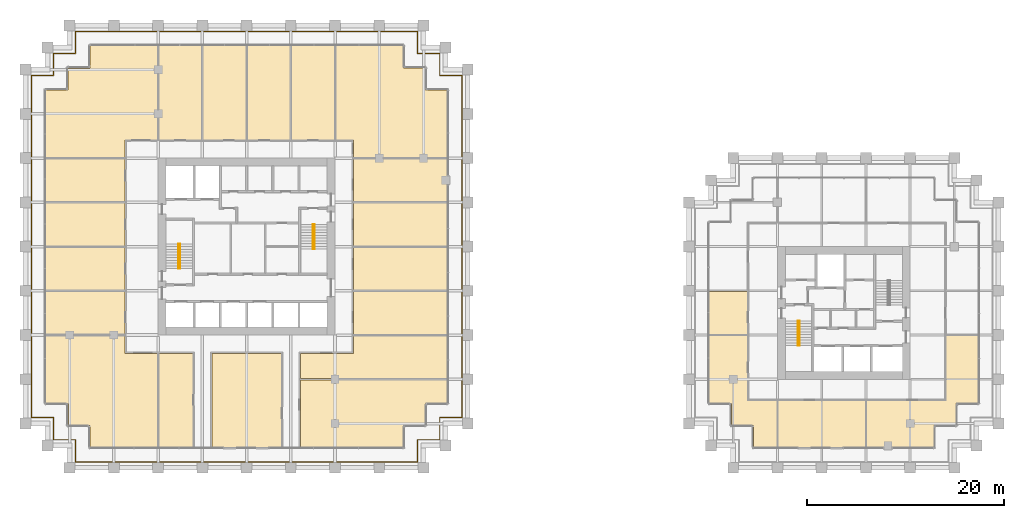
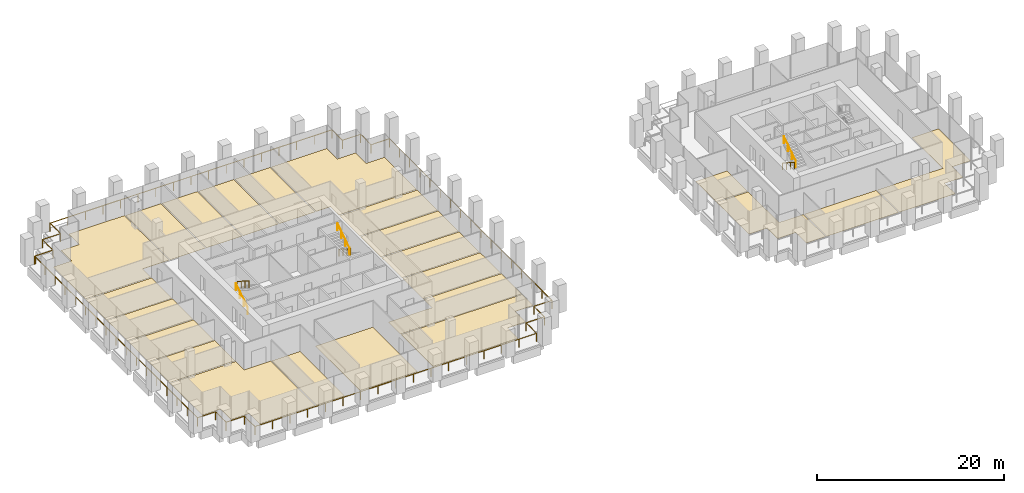
# One storey, part 55 of 56: 23 coverings, 7 railings.
"""IFC4 building model written with IfcOpenShell, lengths in metres."""

import ifcopenshell
import ifcopenshell.guid

model = None  # the IFC model being written
_history = None  # IfcOwnerHistory: only IFC2X3 demands one
_inside = {}  # id of a spatial element -> (the spatial element, [elements in it])
_under = {}  # id of a project, library or spatial element -> (it, [spatial elements below it])
_declared = {}  # id of a project -> (the project, [libraries it declares])
_typed = {}  # id of a type object -> (the type object, [elements of that type])
_made_of = {}  # id of a material, layer set ... -> (it, [elements and type objects made of it])


def new_model(schema):
    """Start an empty IFC model of exactly this schema.

    Asked for "IFC4X3", IfcOpenShell would pick the latest addendum, in which some entities
    have other attributes; the version numbers below select the first issue.
    IFC2X3 requires an IfcOwnerHistory on every rooted entity: one is made here for all.
    """
    global model, _history
    if schema == "IFC4X3":
        model = ifcopenshell.file(schema_version=(4, 3, 0, 0))
    else:
        model = ifcopenshell.file(schema=schema)
    _inside.clear()
    _under.clear()
    _declared.clear()
    _typed.clear()
    _made_of.clear()
    _history = None
    if model.schema == "IFC2X3":
        org = make("IfcOrganization", Name="unknown")
        user = make(
            "IfcPersonAndOrganization",
            ThePerson=make("IfcPerson", FamilyName="unknown"),
            TheOrganization=org,
        )
        app = make(
            "IfcApplication",
            ApplicationDeveloper=org,
            Version="unknown",
            ApplicationFullName="unknown",
            ApplicationIdentifier="unknown",
        )
        _history = make(
            "IfcOwnerHistory",
            OwningUser=user,
            OwningApplication=app,
            ChangeAction="ADDED",
            CreationDate=0,
        )
    return model


def make(cls, **values):
    """One entity of the class cls with the attributes given. An attribute that is None is left unset."""
    return model.create_entity(
        cls, **{name: value for name, value in values.items() if value is not None}
    )


def rooted(cls, **values):
    """An entity with a GlobalId (a new one), such as an element, a storey or a relation."""
    return make(cls, GlobalId=ifcopenshell.guid.new(), OwnerHistory=_history, **values)


def si_unit(unit_type, name, prefix=None):
    """IfcSIUnit, for example si_unit("LENGTHUNIT", "METRE", prefix="MILLI")."""
    return make("IfcSIUnit", UnitType=unit_type, Prefix=prefix, Name=name)


def assignment(units):
    """IfcUnitAssignment: the units of a project."""
    return None if units is None else make("IfcUnitAssignment", Units=units)


def point(xyz):
    """IfcCartesianPoint."""
    return None if xyz is None else make("IfcCartesianPoint", Coordinates=xyz)


def direction(xyz):
    """IfcDirection."""
    return None if xyz is None else make("IfcDirection", DirectionRatios=xyz)


def frame(location, z_axis=None, x_axis=None):
    """IfcAxis2Placement3D, a coordinate frame: its origin and axes. An axis left out is left unset."""
    return make(
        "IfcAxis2Placement3D",
        Location=point(location),
        Axis=direction(z_axis),
        RefDirection=direction(x_axis),
    )


def frame_2d(location, x_axis=None):
    """IfcAxis2Placement2D, a coordinate frame in the plane: its origin and x axis."""
    return make(
        "IfcAxis2Placement2D", Location=point(location), RefDirection=direction(x_axis)
    )


def origin():
    """The frame at (0, 0, 0) with its axes left unset."""
    return frame((0.0, 0.0, 0.0))


def origin_2d():
    """The frame at (0, 0) in the plane with its x axis left unset."""
    return frame_2d((0.0, 0.0))


def place(relative_to, where):
    """IfcLocalPlacement: puts the frame where relative to a parent placement (None: the world)."""
    return make(
        "IfcLocalPlacement", PlacementRelTo=relative_to, RelativePlacement=where
    )


def context(
    kind, dimensions, precision=None, world=None, true_north=None, identifier=None
):
    """IfcGeometricRepresentationContext, for example the 3D "Model" context."""
    return make(
        "IfcGeometricRepresentationContext",
        ContextIdentifier=identifier,
        ContextType=kind,
        CoordinateSpaceDimension=dimensions,
        Precision=precision,
        WorldCoordinateSystem=world,
        TrueNorth=true_north,
    )


def subcontext(parent, identifier, kind, view, scale=None):
    """IfcGeometricRepresentationSubContext, for example "Body" below "Model"."""
    return make(
        "IfcGeometricRepresentationSubContext",
        ContextIdentifier=identifier,
        ContextType=kind,
        ParentContext=parent,
        TargetScale=scale,
        TargetView=view,
    )


def project(units=None, contexts=None):
    """IfcProject with its units and contexts."""
    return rooted(
        "IfcProject",
        Name="project",
        RepresentationContexts=contexts,
        UnitsInContext=assignment(units),
    )


def spatial(cls, under=None, at=None, **own):
    """A site, building, storey or space (cls), placed at a placement, below another one or the project."""
    s = rooted(cls, ObjectPlacement=at, **own)
    if under is not None:
        _under.setdefault(under.id(), (under, []))[1].append(s)
    return s


def polyline(points):
    """IfcPolyline through the points."""
    return make("IfcPolyline", Points=[point(p) for p in points])


def profile(cls, at=None, kind="AREA", **sizes):
    """A parametric profile (cls). Its sizes go by their IFC names, for example OverallWidth=200.0."""
    return make(cls, ProfileType=kind, Position=at, **sizes)


def circle(**sizes):
    """IfcCircleProfileDef."""
    return profile("IfcCircleProfileDef", **sizes)


def outline(outer, holes=None, kind="AREA"):
    """IfcArbitraryClosedProfileDef: a profile drawn as a closed curve; with holes, ...WithVoids."""
    if holes is None:
        return make("IfcArbitraryClosedProfileDef", ProfileType=kind, OuterCurve=outer)
    return make(
        "IfcArbitraryProfileDefWithVoids",
        ProfileType=kind,
        OuterCurve=outer,
        InnerCurves=holes,
    )


def extrude(swept, where, along, depth):
    """IfcExtrudedAreaSolid: the profile swept, set in the frame where, extruded along a direction by depth."""
    return make(
        "IfcExtrudedAreaSolid",
        SweptArea=swept,
        Position=where,
        ExtrudedDirection=direction(along),
        Depth=depth,
    )


def shape(context_of_items, identifier, shape_type, items):
    """IfcShapeRepresentation: the items that make up one representation, for example the "Body"."""
    return make(
        "IfcShapeRepresentation",
        ContextOfItems=context_of_items,
        RepresentationIdentifier=identifier,
        RepresentationType=shape_type,
        Items=items,
    )


def source(mapping_origin, context_of_items, identifier, shape_type, items):
    """IfcRepresentationMap: a shape defined once, which mapped items show again and again."""
    return make(
        "IfcRepresentationMap",
        MappingOrigin=mapping_origin,
        MappedRepresentation=shape(context_of_items, identifier, shape_type, items),
    )


def transform(
    local_origin,
    x_axis=None,
    y_axis=None,
    z_axis=None,
    scale=None,
    scale2=None,
    scale3=None,
    uniform=True,
):
    """IfcCartesianTransformationOperator3D, or its non-uniform kind. x_axis, y_axis, z_axis: its Axis1, 2, 3."""
    if uniform:
        return make(
            "IfcCartesianTransformationOperator3D",
            Axis1=direction(x_axis),
            Axis2=direction(y_axis),
            LocalOrigin=point(local_origin),
            Scale=scale,
            Axis3=direction(z_axis),
        )
    return make(
        "IfcCartesianTransformationOperator3DnonUniform",
        Axis1=direction(x_axis),
        Axis2=direction(y_axis),
        LocalOrigin=point(local_origin),
        Scale=scale,
        Axis3=direction(z_axis),
        Scale2=scale2,
        Scale3=scale3,
    )


def mapped(mapping_source, mapping_target):
    """IfcMappedItem: shows the shape of a source again, moved by a transform."""
    return make(
        "IfcMappedItem", MappingSource=mapping_source, MappingTarget=mapping_target
    )


def material(Name=None, Category=None):
    """IfcMaterial."""
    return make("IfcMaterial", Name=Name, Category=Category)


def layer(
    of_material, thickness, ventilated=None, Name=None, Category=None, Priority=None
):
    """IfcMaterialLayer: one layer of a wall or slab, of a material (None: an air gap)."""
    return make(
        "IfcMaterialLayer",
        Material=of_material,
        LayerThickness=thickness,
        IsVentilated=ventilated,
        Name=Name,
        Category=Category,
        Priority=Priority,
    )


def layer_set(layers, Name=None):
    """IfcMaterialLayerSet."""
    return make("IfcMaterialLayerSet", MaterialLayers=layers, LayerSetName=Name)


def made_of(thing, what):
    """Note that an element or type object is made of a material, layer set ...; save() writes the relation."""
    if what is not None:
        _made_of.setdefault(what.id(), (what, []))[1].append(thing)
    return thing


def type_object(cls, material=None, **own):
    """A type object (cls), such as IfcWallType, which elements share."""
    return made_of(rooted(cls, **own), material)


def element(
    cls,
    number,
    at=None,
    inside=None,
    cuts=None,
    type_object=None,
    material=None,
    context=None,
    identifier="Body",
    shape_type=None,
    held_by="IfcProductDefinitionShape",
    body=None,
    shapes=None,
    **own,
):
    """One element of the class cls, such as IfcWall. Its Tag is "e" and its number.

    at: its placement. inside: the storey or other place that contains it. cuts: it is an
    opening in that element (IfcRelVoidsElement). A single representation is given by context,
    identifier, shape_type and body (its items); several are given by shapes. held_by: the class
    of the entity that holds the representations. save() writes the other relations.
    """
    e = rooted(cls, Tag="e%d" % number, ObjectPlacement=at, **own)
    if body is not None:
        shapes = [shape(context, identifier, shape_type, body)]
    if shapes is not None:
        e.Representation = make(held_by, Representations=shapes)
    if inside is not None:
        _inside.setdefault(inside.id(), (inside, []))[1].append(e)
    if cuts is not None:
        rooted(
            "IfcRelVoidsElement", RelatingBuildingElement=cuts, RelatedOpeningElement=e
        )
    if type_object is not None:
        _typed.setdefault(type_object.id(), (type_object, []))[1].append(e)
    return made_of(e, material)


def aggregate(whole, parts):
    """IfcRelAggregates: a whole, such as a stair, and the parts it consists of."""
    return rooted("IfcRelAggregates", RelatingObject=whole, RelatedObjects=parts)


def save(model, path):
    """Write the relations noted so far, then the file.

    IfcRelAggregates (storeys below a building ...), IfcRelContainedInSpatialStructure (elements
    in a storey), IfcRelDefinesByType, IfcRelAssociatesMaterial and IfcRelDeclares: one each for
    every whole, place, type object, material and project.
    """
    for whole, parts in _under.values():
        aggregate(whole, parts)
    for where, things in _inside.values():
        rooted(
            "IfcRelContainedInSpatialStructure",
            RelatedElements=things,
            RelatingStructure=where,
        )
    for kind, things in _typed.values():
        rooted("IfcRelDefinesByType", RelatedObjects=things, RelatingType=kind)
    for what, things in _made_of.values():
        rooted("IfcRelAssociatesMaterial", RelatedObjects=things, RelatingMaterial=what)
    for by, libraries in _declared.values():
        rooted("IfcRelDeclares", RelatingContext=by, RelatedDefinitions=libraries)
    model.write(path)


model = new_model("IFC4")

# Units and contexts
model_context = context("Model", 3, precision=1e-05, world=origin(), true_north=direction((0.0, 1.0)))
body_context = subcontext(model_context, "Body", "Model", "MODEL_VIEW")
ifc_project = project(units=[si_unit("LENGTHUNIT", "METRE"), si_unit("AREAUNIT", "SQUARE_METRE"), si_unit("VOLUMEUNIT", "CUBIC_METRE"), si_unit("PLANEANGLEUNIT", "RADIAN"), si_unit("MASSUNIT", "GRAM", prefix="KILO")], contexts=[model_context])

# Site, building, storey
site_placement = place(None, origin())
site = spatial("IfcSite", under=ifc_project, at=site_placement, CompositionType="ELEMENT")
building_placement = place(site_placement, origin())
building = spatial("IfcBuilding", under=site, at=building_placement, Name="Altepetl Exchange Towers", CompositionType="ELEMENT")
storey_placement = place(building_placement, frame((0.0, 0.0, 69.0)))
storey = spatial("IfcBuildingStorey", under=building, at=storey_placement, Name="L16", CompositionType="ELEMENT", Elevation=69.0)

# Coverings
ifc_material_1 = material(Name="Carpet tile")
ifc_layer_1 = layer(ifc_material_1, 0.02001953125)
ifc_layer_set_1 = layer_set([ifc_layer_1], Name="Carpet tile")
covering_type_1 = type_object("IfcCoveringType", Name="Carpet tile floor", PredefinedType="FLOORING", material=ifc_layer_set_1)
covering_1_placement = place(storey_placement, origin())
element("IfcCovering", 1, at=covering_1_placement, inside=storey, type_object=covering_type_1, Name="Print room floor finish A16.01", PredefinedType="FLOORING", context=body_context, shape_type="SweptSolid", body=[
    extrude(outline(polyline([(37.137451171875, 49.4375), (29.0625, 49.4375), (29.0625, 45.0625), (37.137451171875, 45.0625), (37.137451171875, 49.4375)])), origin(), (0.0, 0.0, 1.0), 0.02001953125),
])
covering_2_placement = place(storey_placement, origin())
element("IfcCovering", 2, at=covering_2_placement, inside=storey, type_object=covering_type_1, Name="Open office floor finish A16.03", PredefinedType="FLOORING", context=body_context, shape_type="SweptSolid", body=[
    extrude(outline(polyline([(37.137451171875, 40.4375), (29.0625, 40.4375), (29.0625, 33.5625), (31.3125, 33.5625), (31.3125, 31.3125), (33.5625, 31.3125), (33.5625, 29.0625), (40.4375, 29.0625), (40.4375, 38.637451171875), (37.137451171875, 38.637451171875), (37.137451171875, 40.4375)])), origin(), (0.0, 0.0, 1.0), 0.02001953125),
])
covering_3_placement = place(storey_placement, origin())
element("IfcCovering", 3, at=covering_3_placement, inside=storey, type_object=covering_type_1, Name="Print room floor finish A16.04", PredefinedType="FLOORING", context=body_context, shape_type="SweptSolid", body=[
    extrude(outline(polyline([(40.5625, 38.637451171875), (40.5625, 29.0625), (44.03759765625, 29.0625), (44.03759765625, 38.637451171875), (40.5625, 38.637451171875)])), origin(), (0.0, 0.0, 1.0), 0.02001953125),
])
covering_4_placement = place(storey_placement, origin())
element("IfcCovering", 4, at=covering_4_placement, inside=storey, type_object=covering_type_1, Name="Meeting room floor finish A16.07", PredefinedType="FLOORING", context=body_context, shape_type="SweptSolid", body=[
    extrude(outline(polyline([(69.9375, 40.4375), (60.362548828125, 40.4375), (60.362548828125, 38.637451171875), (54.96240234375, 38.637451171875), (54.96240234375, 36.0625), (69.9375, 36.0625), (69.9375, 40.4375)])), origin(), (0.0, 0.0, 1.0), 0.02001953125),
])
covering_5_placement = place(storey_placement, origin())
element("IfcCovering", 5, at=covering_5_placement, inside=storey, type_object=covering_type_1, Name="Huddle room floor finish A16.08", PredefinedType="FLOORING", context=body_context, shape_type="SweptSolid", body=[
    extrude(outline(polyline([(69.9375, 44.9375), (60.362548828125, 44.9375), (60.362548828125, 40.5625), (69.9375, 40.5625), (69.9375, 44.9375)])), origin(), (0.0, 0.0, 1.0), 0.02001953125),
])
covering_6_placement = place(storey_placement, origin())
element("IfcCovering", 6, at=covering_6_placement, inside=storey, type_object=covering_type_1, Name="Meeting room floor finish A16.09", PredefinedType="FLOORING", context=body_context, shape_type="SweptSolid", body=[
    extrude(outline(polyline([(69.9375, 49.4375), (60.362548828125, 49.4375), (60.362548828125, 45.0625), (69.9375, 45.0625), (69.9375, 49.4375)])), origin(), (0.0, 0.0, 1.0), 0.02001953125),
])
covering_7_placement = place(storey_placement, origin())
element("IfcCovering", 7, at=covering_7_placement, inside=storey, type_object=covering_type_1, Name="Huddle room floor finish A16.10", PredefinedType="FLOORING", context=body_context, shape_type="SweptSolid", body=[
    extrude(outline(polyline([(69.9375, 53.9375), (60.362548828125, 53.9375), (60.362548828125, 49.5625), (69.9375, 49.5625), (69.9375, 53.9375)])), origin(), (0.0, 0.0, 1.0), 0.02001953125),
])
covering_8_placement = place(storey_placement, origin())
element("IfcCovering", 8, at=covering_8_placement, inside=storey, type_object=covering_type_1, Name="Meeting room floor finish A16.11", PredefinedType="FLOORING", context=body_context, shape_type="SweptSolid", body=[
    extrude(outline(polyline([(69.9375, 58.4375), (60.362548828125, 58.4375), (60.362548828125, 54.0625), (69.9375, 54.0625), (69.9375, 58.4375)])), origin(), (0.0, 0.0, 1.0), 0.02001953125),
])
covering_9_placement = place(storey_placement, origin())
element("IfcCovering", 9, at=covering_9_placement, inside=storey, type_object=covering_type_1, Name="Huddle room floor finish A16.13", PredefinedType="FLOORING", context=body_context, shape_type="SweptSolid", body=[
    extrude(outline(polyline([(54.0625, 69.9375), (54.0625, 60.362548828125), (58.4375, 60.362548828125), (58.4375, 69.9375), (54.0625, 69.9375)])), origin(), (0.0, 0.0, 1.0), 0.02001953125),
])
covering_10_placement = place(storey_placement, origin())
element("IfcCovering", 10, at=covering_10_placement, inside=storey, type_object=covering_type_1, Name="Meeting room floor finish A16.14", PredefinedType="FLOORING", context=body_context, shape_type="SweptSolid", body=[
    extrude(outline(polyline([(49.5625, 69.9375), (49.5625, 60.362548828125), (53.9375, 60.362548828125), (53.9375, 69.9375), (49.5625, 69.9375)])), origin(), (0.0, 0.0, 1.0), 0.02001953125),
])
covering_11_placement = place(storey_placement, origin())
element("IfcCovering", 11, at=covering_11_placement, inside=storey, type_object=covering_type_1, Name="Huddle room floor finish A16.15", PredefinedType="FLOORING", context=body_context, shape_type="SweptSolid", body=[
    extrude(outline(polyline([(45.0625, 69.9375), (45.0625, 60.362548828125), (49.4375, 60.362548828125), (49.4375, 69.9375), (45.0625, 69.9375)])), origin(), (0.0, 0.0, 1.0), 0.02001953125),
])
covering_12_placement = place(storey_placement, origin())
element("IfcCovering", 12, at=covering_12_placement, inside=storey, type_object=covering_type_1, Name="Meeting room floor finish A16.16", PredefinedType="FLOORING", context=body_context, shape_type="SweptSolid", body=[
    extrude(outline(polyline([(40.5625, 69.9375), (40.5625, 60.362548828125), (44.9375, 60.362548828125), (44.9375, 69.9375), (40.5625, 69.9375)])), origin(), (0.0, 0.0, 1.0), 0.02001953125),
])
covering_13_placement = place(storey_placement, origin())
element("IfcCovering", 13, at=covering_13_placement, inside=storey, type_object=covering_type_1, Name="Print room floor finish A16.18", PredefinedType="FLOORING", context=body_context, shape_type="SweptSolid", body=[
    extrude(outline(polyline([(37.137451171875, 58.4375), (29.0625, 58.4375), (29.0625, 54.0625), (37.137451171875, 54.0625), (37.137451171875, 58.4375)])), origin(), (0.0, 0.0, 1.0), 0.02001953125),
])
covering_14_placement = place(storey_placement, origin())
element("IfcCovering", 14, at=covering_14_placement, inside=storey, type_object=covering_type_1, Name="Conference room floor finish B16.01", PredefinedType="FLOORING", context=body_context, shape_type="SweptSolid", body=[
    extrude(outline(polyline([(103.4375, 29.0625), (103.4375, 33.83740234375), (100.4375, 33.83740234375), (100.4375, 40.4375), (96.5625, 40.4375), (96.5625, 33.5625), (98.8125, 33.5625), (98.8125, 31.3125), (101.0625, 31.3125), (101.0625, 29.0625), (103.4375, 29.0625)])), origin(), (0.0, 0.0, 1.0), 0.02001953125),
])
covering_15_placement = place(storey_placement, origin())
element("IfcCovering", 15, at=covering_15_placement, inside=storey, type_object=covering_type_1, Name="Huddle room floor finish B16.02", PredefinedType="FLOORING", context=body_context, shape_type="SweptSolid", body=[
    extrude(outline(polyline([(112.4375, 29.0625), (112.4375, 33.83740234375), (103.5625, 33.83740234375), (103.5625, 29.0625), (112.4375, 29.0625)])), origin(), (0.0, 0.0, 1.0), 0.02001953125),
])
covering_16_placement = place(storey_placement, origin())
element("IfcCovering", 16, at=covering_16_placement, inside=storey, type_object=covering_type_1, Name="Legal office floor finish B16.03", PredefinedType="FLOORING", context=body_context, shape_type="SweptSolid", body=[
    extrude(outline(polyline([(123.9375, 40.4375), (120.66259765625, 40.4375), (120.66259765625, 33.83740234375), (112.5625, 33.83740234375), (112.5625, 29.0625), (119.4375, 29.0625), (119.4375, 31.3125), (121.6875, 31.3125), (121.6875, 33.5625), (123.9375, 33.5625), (123.9375, 40.4375)])), origin(), (0.0, 0.0, 1.0), 0.02001953125),
])
covering_17_placement = place(storey_placement, origin())
element("IfcCovering", 17, at=covering_17_placement, inside=storey, type_object=covering_type_1, Name="Print room floor finish B16.08", PredefinedType="FLOORING", context=body_context, shape_type="SweptSolid", body=[
    extrude(outline(polyline([(96.5625, 40.5625), (100.4375, 40.5625), (100.4375, 44.9375), (96.5625, 44.9375), (96.5625, 40.5625)])), origin(), (0.0, 0.0, 1.0), 0.02001953125),
])
ifc_material_2 = material(Name="Calcium sulphate access floor panel")
ifc_layer_2 = layer(ifc_material_2, 0.0400390625)
ifc_layer_set_2 = layer_set([ifc_layer_2], Name="Calcium sulphate access floor panel")
covering_type_2 = type_object("IfcCoveringType", Name="Raised access floor panels", PredefinedType="FLOORING", material=ifc_layer_set_2)
covering_18_placement = place(storey_placement, origin())
element("IfcCovering", 18, at=covering_18_placement, inside=storey, type_object=covering_type_2, Name="Data room floor finish A16.02", PredefinedType="FLOORING", context=body_context, shape_type="SweptSolid", body=[
    extrude(outline(polyline([(37.137451171875, 44.9375), (29.0625, 44.9375), (29.0625, 40.5625), (37.137451171875, 40.5625), (37.137451171875, 44.9375)])), origin(), (0.0, 0.0, 1.0), 0.0400390625),
])
covering_19_placement = place(storey_placement, origin())
element("IfcCovering", 19, at=covering_19_placement, inside=storey, type_object=covering_type_2, Name="Clearing office floor finish A16.05", PredefinedType="FLOORING", context=body_context, shape_type="SweptSolid", body=[
    extrude(outline(polyline([(45.96240234375, 38.637451171875), (45.96240234375, 29.0625), (53.03759765625, 29.0625), (53.03759765625, 38.637451171875), (45.96240234375, 38.637451171875)])), origin(), (0.0, 0.0, 1.0), 0.0400390625),
])
covering_20_placement = place(storey_placement, origin())
element("IfcCovering", 20, at=covering_20_placement, inside=storey, type_object=covering_type_2, Name="Settlement office floor finish A16.06", PredefinedType="FLOORING", context=body_context, shape_type="SweptSolid", body=[
    extrude(outline(polyline([(69.9375, 35.9375), (54.96240234375, 35.9375), (54.96240234375, 29.0625), (65.4375, 29.0625), (65.4375, 31.3125), (67.6875, 31.3125), (67.6875, 33.5625), (69.9375, 33.5625), (69.9375, 35.9375)])), origin(), (0.0, 0.0, 1.0), 0.0400390625),
])
covering_21_placement = place(storey_placement, origin())
element("IfcCovering", 21, at=covering_21_placement, inside=storey, type_object=covering_type_2, Name="Settlement office floor finish A16.12", PredefinedType="FLOORING", context=body_context, shape_type="SweptSolid", body=[
    extrude(outline(polyline([(69.9375, 58.5625), (69.9375, 65.4375), (67.6875, 65.4375), (67.6875, 67.6875), (65.4375, 67.6875), (65.4375, 69.9375), (58.5625, 69.9375), (58.5625, 60.362548828125), (60.362548828125, 60.362548828125), (60.362548828125, 58.5625), (69.9375, 58.5625)])), origin(), (0.0, 0.0, 1.0), 0.0400390625),
])
covering_22_placement = place(storey_placement, origin())
element("IfcCovering", 22, at=covering_22_placement, inside=storey, type_object=covering_type_2, Name="Clearing office floor finish A16.17", PredefinedType="FLOORING", context=body_context, shape_type="SweptSolid", body=[
    extrude(outline(polyline([(33.5625, 69.9375), (33.5625, 67.6875), (31.3125, 67.6875), (31.3125, 65.4375), (29.0625, 65.4375), (29.0625, 58.5625), (37.137451171875, 58.5625), (37.137451171875, 60.362548828125), (40.4375, 60.362548828125), (40.4375, 69.9375), (33.5625, 69.9375)])), origin(), (0.0, 0.0, 1.0), 0.0400390625),
])
covering_23_placement = place(storey_placement, origin())
element("IfcCovering", 23, at=covering_23_placement, inside=storey, type_object=covering_type_2, Name="Data room floor finish A16.19", PredefinedType="FLOORING", context=body_context, shape_type="SweptSolid", body=[
    extrude(outline(polyline([(37.137451171875, 53.9375), (29.0625, 53.9375), (29.0625, 49.5625), (37.137451171875, 49.5625), (37.137451171875, 53.9375)])), origin(), (0.0, 0.0, 1.0), 0.0400390625),
])

# Railings
ifc_material_3 = material(Name="Steel S355", Category="steel")
railing_type_1 = type_object("IfcRailingType", Name="Guard 1100 steel posts and rail", PredefinedType="GUARDRAIL", material=ifc_material_3)
shared_shape_1 = source(origin(), body_context, "Body", "SweptSolid", [
    extrude(circle(Radius=0.02099609375, at=origin_2d()), origin(), (0.0, 0.0, 1.0), 1.052001953125),
])
railing_1_placement = place(storey_placement, frame((27.60009765625, 66.89990234375, 0.0)))
element("IfcRailing", 24, at=railing_1_placement, inside=storey, type_object=railing_type_1, Name="Loggia guard", PredefinedType="GUARDRAIL", context=body_context, shape_type="SweptSolid", body=[
    extrude(circle(Radius=0.02392578125, at=origin_2d()), frame((0.0, 0.0, 1.076171875), z_axis=(0.0, -1.0, 0.0), x_axis=(1.0, 0.0, 0.0)), (0.0, 0.0, 1.0), 34.7998046875),
    extrude(circle(Radius=0.02392578125, at=origin_2d()), frame((0.0, -34.7998046875, 1.076171875), z_axis=(1.0, 0.0, 0.0), x_axis=(0.0, 1.0, 0.0)), (0.0, 0.0, 1.0), 2.25),
    extrude(circle(Radius=0.02392578125, at=origin_2d()), frame((2.25, -34.7998046875, 1.076171875), z_axis=(0.0, -1.0, 0.0), x_axis=(1.0, 0.0, 0.0)), (0.0, 0.0, 1.0), 2.25),
    extrude(circle(Radius=0.02392578125, at=origin_2d()), frame((2.25, -37.0498046875, 1.076171875), z_axis=(1.0, 0.0, 0.0), x_axis=(0.0, 1.0, 0.0)), (0.0, 0.0, 1.0), 2.25),
    extrude(circle(Radius=0.02392578125, at=origin_2d()), frame((4.5, -37.0498046875, 1.076171875), z_axis=(0.0, -1.0, 0.0), x_axis=(1.0, 0.0, 0.0)), (0.0, 0.0, 1.0), 2.25),
    extrude(circle(Radius=0.02392578125, at=origin_2d()), frame((4.5, -39.2998046875, 1.076171875), z_axis=(1.0, 0.0, 0.0), x_axis=(0.0, 1.0, 0.0)), (0.0, 0.0, 1.0), 34.7998046875),
    extrude(circle(Radius=0.02392578125, at=origin_2d()), frame((39.2998046875, -39.2998046875, 1.076171875), z_axis=(0.0, 1.0, 0.0), x_axis=(-1.0, 0.0, 0.0)), (0.0, 0.0, 1.0), 2.25),
    extrude(circle(Radius=0.02392578125, at=origin_2d()), frame((39.2998046875, -37.0498046875, 1.076171875), z_axis=(1.0, 0.0, 0.0), x_axis=(0.0, 1.0, 0.0)), (0.0, 0.0, 1.0), 2.25),
    extrude(circle(Radius=0.02392578125, at=origin_2d()), frame((41.5498046875, -37.0498046875, 1.076171875), z_axis=(0.0, 1.0, 0.0), x_axis=(-1.0, 0.0, 0.0)), (0.0, 0.0, 1.0), 2.25),
    extrude(circle(Radius=0.02392578125, at=origin_2d()), frame((41.5498046875, -34.7998046875, 1.076171875), z_axis=(1.0, 0.0, 0.0), x_axis=(0.0, 1.0, 0.0)), (0.0, 0.0, 1.0), 2.25),
    extrude(circle(Radius=0.02392578125, at=origin_2d()), frame((43.7998046875, -34.7998046875, 1.076171875), z_axis=(0.0, 1.0, 0.0), x_axis=(-1.0, 0.0, 0.0)), (0.0, 0.0, 1.0), 34.7998046875),
    extrude(circle(Radius=0.02392578125, at=origin_2d()), frame((43.7998046875, 0.0, 1.076171875), z_axis=(-1.0, 0.0, 0.0), x_axis=(0.0, -1.0, 0.0)), (0.0, 0.0, 1.0), 2.25),
    extrude(circle(Radius=0.02392578125, at=origin_2d()), frame((41.5498046875, 0.0, 1.076171875), z_axis=(0.0, 1.0, 0.0), x_axis=(-1.0, 0.0, 0.0)), (0.0, 0.0, 1.0), 2.25),
    extrude(circle(Radius=0.02392578125, at=origin_2d()), frame((41.5498046875, 2.25, 1.076171875), z_axis=(-1.0, 0.0, 0.0), x_axis=(0.0, -1.0, 0.0)), (0.0, 0.0, 1.0), 2.25),
    extrude(circle(Radius=0.02392578125, at=origin_2d()), frame((39.2998046875, 2.25, 1.076171875), z_axis=(0.0, 1.0, 0.0), x_axis=(-1.0, 0.0, 0.0)), (0.0, 0.0, 1.0), 2.25),
    extrude(circle(Radius=0.02392578125, at=origin_2d()), frame((39.2998046875, 4.5, 1.076171875), z_axis=(-1.0, 0.0, 0.0), x_axis=(0.0, -1.0, 0.0)), (0.0, 0.0, 1.0), 34.7998046875),
    extrude(circle(Radius=0.02392578125, at=origin_2d()), frame((4.5, 4.5, 1.076171875), z_axis=(0.0, -1.0, 0.0), x_axis=(1.0, 0.0, 0.0)), (0.0, 0.0, 1.0), 2.25),
    extrude(circle(Radius=0.02392578125, at=origin_2d()), frame((4.5, 2.25, 1.076171875), z_axis=(-1.0, 0.0, 0.0), x_axis=(0.0, -1.0, 0.0)), (0.0, 0.0, 1.0), 2.25),
    extrude(circle(Radius=0.02392578125, at=origin_2d()), frame((2.25, 2.25, 1.076171875), z_axis=(0.0, -1.0, 0.0), x_axis=(1.0, 0.0, 0.0)), (0.0, 0.0, 1.0), 2.25),
    extrude(circle(Radius=0.02392578125, at=origin_2d()), frame((2.25, 0.0, 1.076171875), z_axis=(-1.0, 0.0, 0.0), x_axis=(0.0, -1.0, 0.0)), (0.0, 0.0, 1.0), 2.150146484375),
    mapped(shared_shape_1, transform((0.0, 0.0, 0.0))),
    mapped(shared_shape_1, transform((0.0, -2.175048828125, 0.0))),
    mapped(shared_shape_1, transform((0.0, -4.35009765625, 0.0))),
    mapped(shared_shape_1, transform((0.0, -6.52490234375, 0.0))),
    mapped(shared_shape_1, transform((0.0, -8.699951171875, 0.0))),
    mapped(shared_shape_1, transform((0.0, -10.875, 0.0))),
    mapped(shared_shape_1, transform((0.0, -13.0498046875, 0.0))),
    mapped(shared_shape_1, transform((0.0, -15.224853515625, 0.0))),
    mapped(shared_shape_1, transform((0.0, -17.39990234375, 0.0))),
    mapped(shared_shape_1, transform((0.0, -19.574951171875, 0.0))),
    mapped(shared_shape_1, transform((0.0, -21.75, 0.0))),
    mapped(shared_shape_1, transform((0.0, -23.9248046875, 0.0))),
    mapped(shared_shape_1, transform((0.0, -26.099853515625, 0.0))),
    mapped(shared_shape_1, transform((0.0, -28.27490234375, 0.0))),
    mapped(shared_shape_1, transform((0.0, -30.44970703125, 0.0))),
    mapped(shared_shape_1, transform((0.0, -32.624755859375, 0.0))),
    mapped(shared_shape_1, transform((0.0, -34.7998046875, 0.0))),
    mapped(shared_shape_1, transform((2.25, -34.7998046875, 0.0))),
    mapped(shared_shape_1, transform((2.25, -37.0498046875, 0.0))),
    mapped(shared_shape_1, transform((4.5, -37.0498046875, 0.0))),
    mapped(shared_shape_1, transform((4.5, -39.2998046875, 0.0))),
    mapped(shared_shape_1, transform((6.675048828125, -39.2998046875, 0.0))),
    mapped(shared_shape_1, transform((8.85009765625, -39.2998046875, 0.0))),
    mapped(shared_shape_1, transform((11.02490234375, -39.2998046875, 0.0))),
    mapped(shared_shape_1, transform((13.199951171875, -39.2998046875, 0.0))),
    mapped(shared_shape_1, transform((15.375, -39.2998046875, 0.0))),
    mapped(shared_shape_1, transform((17.5498046875, -39.2998046875, 0.0))),
    mapped(shared_shape_1, transform((19.724853515625, -39.2998046875, 0.0))),
    mapped(shared_shape_1, transform((21.89990234375, -39.2998046875, 0.0))),
    mapped(shared_shape_1, transform((24.074951171875, -39.2998046875, 0.0))),
    mapped(shared_shape_1, transform((26.25, -39.2998046875, 0.0))),
    mapped(shared_shape_1, transform((28.4248046875, -39.2998046875, 0.0))),
    mapped(shared_shape_1, transform((30.599853515625, -39.2998046875, 0.0))),
    mapped(shared_shape_1, transform((32.77490234375, -39.2998046875, 0.0))),
    mapped(shared_shape_1, transform((34.94970703125, -39.2998046875, 0.0))),
    mapped(shared_shape_1, transform((37.124755859375, -39.2998046875, 0.0))),
    mapped(shared_shape_1, transform((39.2998046875, -39.2998046875, 0.0))),
    mapped(shared_shape_1, transform((39.2998046875, -37.0498046875, 0.0))),
    mapped(shared_shape_1, transform((41.5498046875, -37.0498046875, 0.0))),
    mapped(shared_shape_1, transform((41.5498046875, -34.7998046875, 0.0))),
    mapped(shared_shape_1, transform((43.7998046875, -34.7998046875, 0.0))),
    mapped(shared_shape_1, transform((43.7998046875, -32.624755859375, 0.0))),
    mapped(shared_shape_1, transform((43.7998046875, -30.44970703125, 0.0))),
    mapped(shared_shape_1, transform((43.7998046875, -28.27490234375, 0.0))),
    mapped(shared_shape_1, transform((43.7998046875, -26.099853515625, 0.0))),
    mapped(shared_shape_1, transform((43.7998046875, -23.9248046875, 0.0))),
    mapped(shared_shape_1, transform((43.7998046875, -21.75, 0.0))),
    mapped(shared_shape_1, transform((43.7998046875, -19.574951171875, 0.0))),
    mapped(shared_shape_1, transform((43.7998046875, -17.39990234375, 0.0))),
    mapped(shared_shape_1, transform((43.7998046875, -15.224853515625, 0.0))),
    mapped(shared_shape_1, transform((43.7998046875, -13.0498046875, 0.0))),
    mapped(shared_shape_1, transform((43.7998046875, -10.875, 0.0))),
    mapped(shared_shape_1, transform((43.7998046875, -8.699951171875, 0.0))),
    mapped(shared_shape_1, transform((43.7998046875, -6.52490234375, 0.0))),
    mapped(shared_shape_1, transform((43.7998046875, -4.35009765625, 0.0))),
    mapped(shared_shape_1, transform((43.7998046875, -2.175048828125, 0.0))),
    mapped(shared_shape_1, transform((43.7998046875, 0.0, 0.0))),
    mapped(shared_shape_1, transform((41.5498046875, 0.0, 0.0))),
    mapped(shared_shape_1, transform((41.5498046875, 2.25, 0.0))),
    mapped(shared_shape_1, transform((39.2998046875, 2.25, 0.0))),
    mapped(shared_shape_1, transform((39.2998046875, 4.5, 0.0))),
    mapped(shared_shape_1, transform((37.124755859375, 4.5, 0.0))),
    mapped(shared_shape_1, transform((34.94970703125, 4.5, 0.0))),
    mapped(shared_shape_1, transform((32.77490234375, 4.5, 0.0))),
    mapped(shared_shape_1, transform((30.599853515625, 4.5, 0.0))),
    mapped(shared_shape_1, transform((28.4248046875, 4.5, 0.0))),
    mapped(shared_shape_1, transform((26.25, 4.5, 0.0))),
    mapped(shared_shape_1, transform((24.074951171875, 4.5, 0.0))),
    mapped(shared_shape_1, transform((21.89990234375, 4.5, 0.0))),
    mapped(shared_shape_1, transform((19.724853515625, 4.5, 0.0))),
    mapped(shared_shape_1, transform((17.5498046875, 4.5, 0.0))),
    mapped(shared_shape_1, transform((15.375, 4.5, 0.0))),
    mapped(shared_shape_1, transform((13.199951171875, 4.5, 0.0))),
    mapped(shared_shape_1, transform((11.02490234375, 4.5, 0.0))),
    mapped(shared_shape_1, transform((8.85009765625, 4.5, 0.0))),
    mapped(shared_shape_1, transform((6.675048828125, 4.5, 0.0))),
    mapped(shared_shape_1, transform((4.5, 4.5, 0.0))),
    mapped(shared_shape_1, transform((4.5, 2.25, 0.0))),
    mapped(shared_shape_1, transform((2.25, 2.25, 0.0))),
    mapped(shared_shape_1, transform((2.25, 0.0, 0.0))),
    mapped(shared_shape_1, transform((0.099853515625, 0.0, 0.0))),
])
ifc_material_4 = material(Name="Steel", Category="steel")
railing_type_2 = type_object("IfcRailingType", Name="Stair handrail 50 steel tube", PredefinedType="HANDRAIL", material=ifc_material_4)
shared_shape_2 = source(origin(), body_context, "Body", "SweptSolid", [
    extrude(circle(Radius=0.02099609375, at=origin_2d()), origin(), (0.0, 0.0, 1.0), 0.851806640625),
])
railing_2_placement = place(storey_placement, frame((42.570068359375, 47.25, 0.179931640625)))
element("IfcRailing", 25, at=railing_2_placement, inside=storey, type_object=railing_type_2, Name="Stair handrail", PredefinedType="HANDRAIL", context=body_context, shape_type="SweptSolid", body=[
    extrude(circle(Radius=0.02392578125, at=origin_2d()), frame((0.0, 0.0, 0.8759765625), z_axis=(0.0, 0.841162588446, 0.540782303519), x_axis=(-1.0, 0.0, 0.0)), (0.0, 0.0, 1.0), 2.995849609375),
    mapped(shared_shape_2, transform((0.0, 0.0, 0.0))),
    mapped(shared_shape_2, transform((0.0, 0.840087890625, 0.5400390625))),
    mapped(shared_shape_2, transform((0.0, 1.679931640625, 1.080078125))),
    mapped(shared_shape_2, transform((0.0, 2.52001953125, 1.6201171875))),
])
for number, where, name in (
    (26, (42.72998046875, 49.77001953125, 1.97998046875), "Stair handrail"),
    (27, (56.429931640625, 51.75, 0.179931640625), "Stair handrail"),
):
    element("IfcRailing", number, at=place(storey_placement, frame(where)), inside=storey, type_object=railing_type_2, Name=name, PredefinedType="HANDRAIL", context=body_context, shape_type="SweptSolid", body=[
        extrude(circle(Radius=0.02392578125, at=origin_2d()), frame((0.0, 0.0, 0.8759765625), z_axis=(0.0, -0.841162588446, 0.540782303519), x_axis=(1.0, 0.0, 0.0)), (0.0, 0.0, 1.0), 2.995849609375),
        mapped(shared_shape_2, transform((0.0, 0.0, 0.0))),
        mapped(shared_shape_2, transform((0.0, -0.840087890625, 0.5400390625))),
        mapped(shared_shape_2, transform((0.0, -1.679931640625, 1.080078125))),
        mapped(shared_shape_2, transform((0.0, -2.52001953125, 1.6201171875))),
    ])
railing_3_placement = place(storey_placement, frame((56.27001953125, 49.22998046875, 1.97998046875)))
element("IfcRailing", 28, at=railing_3_placement, inside=storey, type_object=railing_type_2, Name="Stair handrail", PredefinedType="HANDRAIL", context=body_context, shape_type="SweptSolid", body=[
    extrude(circle(Radius=0.02392578125, at=origin_2d()), frame((0.0, 0.0, 0.8759765625), z_axis=(0.0, 0.841162588446, 0.540782303519), x_axis=(-1.0, 0.0, 0.0)), (0.0, 0.0, 1.0), 2.995849609375),
    mapped(shared_shape_2, transform((0.0, 0.0, 0.0))),
    mapped(shared_shape_2, transform((0.0, 0.840087890625, 0.5400390625))),
    mapped(shared_shape_2, transform((0.0, 1.679931640625, 1.080078125))),
    mapped(shared_shape_2, transform((0.0, 2.52001953125, 1.6201171875))),
])
railing_4_placement = place(storey_placement, frame((105.570068359375, 41.949951171875, 0.179931640625)))
element("IfcRailing", 29, at=railing_4_placement, inside=storey, type_object=railing_type_2, Name="Stair handrail", PredefinedType="HANDRAIL", context=body_context, shape_type="SweptSolid", body=[
    extrude(circle(Radius=0.02392578125, at=origin_2d()), frame((0.0, 0.0, 0.8759765625), z_axis=(0.0, -0.841162588446, 0.540782303519), x_axis=(1.0, 0.0, 0.0)), (0.0, 0.0, 1.0), 2.995849609375),
    mapped(shared_shape_2, transform((0.0, 0.0, 0.0))),
    mapped(shared_shape_2, transform((0.0, -0.840087890625, 0.5400390625))),
    mapped(shared_shape_2, transform((0.0, -1.679931640625, 1.080078125))),
    mapped(shared_shape_2, transform((0.0, -2.52001953125, 1.6201171875))),
])
railing_5_placement = place(storey_placement, frame((105.72998046875, 39.429931640625, 1.97998046875)))
element("IfcRailing", 30, at=railing_5_placement, inside=storey, type_object=railing_type_2, Name="Stair handrail", PredefinedType="HANDRAIL", context=body_context, shape_type="SweptSolid", body=[
    extrude(circle(Radius=0.02392578125, at=origin_2d()), frame((0.0, 0.0, 0.8759765625), z_axis=(0.0, 0.841162588446, 0.540782303519), x_axis=(-1.0, 0.0, 0.0)), (0.0, 0.0, 1.0), 2.995849609375),
    mapped(shared_shape_2, transform((0.0, 0.0, 0.0))),
    mapped(shared_shape_2, transform((0.0, 0.840087890625, 0.5400390625))),
    mapped(shared_shape_2, transform((0.0, 1.679931640625, 1.080078125))),
    mapped(shared_shape_2, transform((0.0, 2.52001953125, 1.6201171875))),
])

save(model, "model.ifc")
